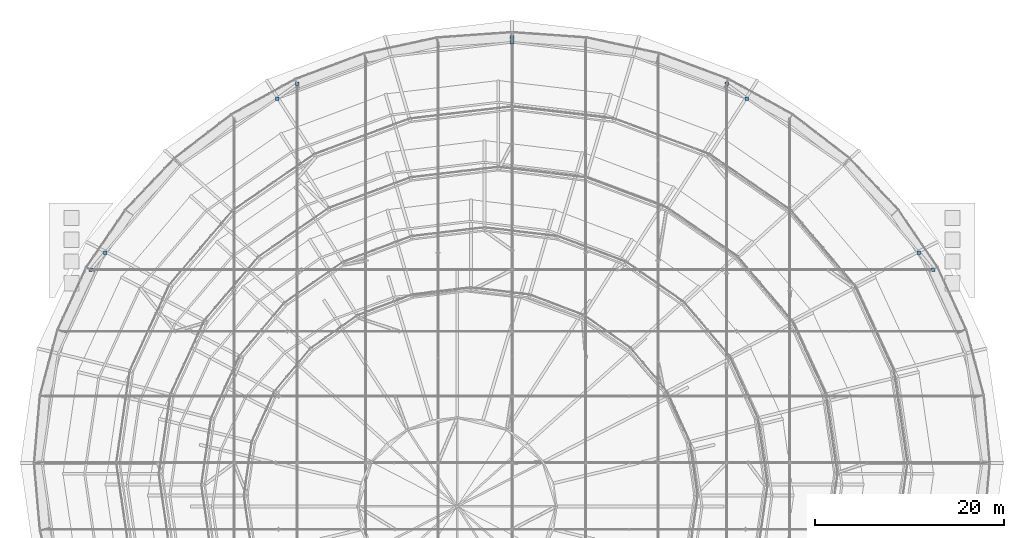
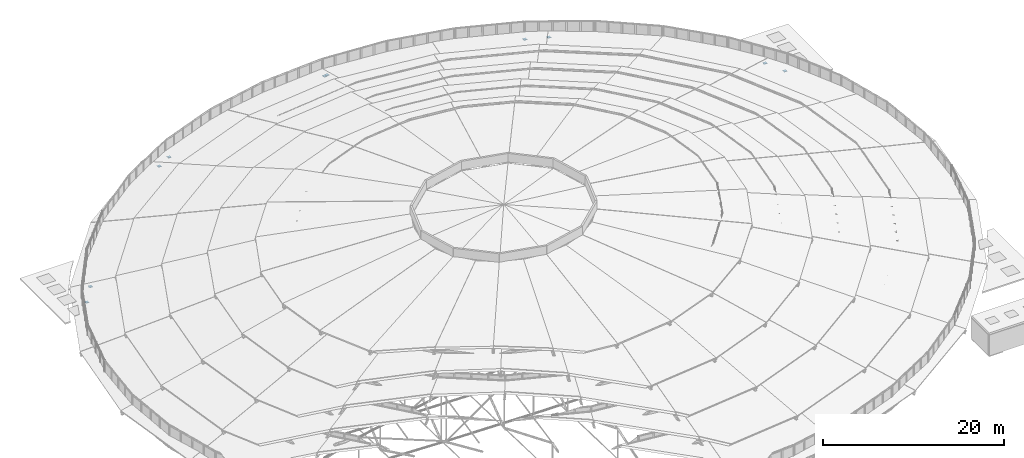
# One storey, part 171 of 173: 10 discrete accessories.
"""IFC4 building model written with IfcOpenShell, lengths in metres."""

from ifc_helpers import new_model, si_unit, direction, frame, origin, origin_2d, place, context, subcontext, project, spatial, rectangle, extrude, material, type_object, element, save


model = new_model("IFC4")

# Units and contexts
model_context = context("Model", 3, precision=1e-05, world=origin(), true_north=direction((0.0, 1.0)))
body_context = subcontext(model_context, "Body", "Model", "MODEL_VIEW")
ifc_project = project(units=[si_unit("LENGTHUNIT", "METRE"), si_unit("AREAUNIT", "SQUARE_METRE"), si_unit("VOLUMEUNIT", "CUBIC_METRE"), si_unit("PLANEANGLEUNIT", "RADIAN"), si_unit("MASSUNIT", "GRAM", prefix="KILO")], contexts=[model_context])

# Site, building, storey
site_placement = place(None, origin())
site = spatial("IfcSite", under=ifc_project, at=site_placement, CompositionType="ELEMENT")
building_placement = place(site_placement, origin())
building = spatial("IfcBuilding", under=site, at=building_placement, Name="Glasvene Arena", CompositionType="ELEMENT")
storey_placement = place(building_placement, frame((0.0, 0.0, 28.800048828125)))
storey = spatial("IfcBuildingStorey", under=building, at=storey_placement, Name="RF", CompositionType="ELEMENT", Elevation=28.800048828125)

# Discrete accessories
ifc_material = material(Name="Steel S355J2", Category="steel")
discrete_accessory_type = type_object("IfcDiscreteAccessoryType", Name="ACC-BRACE-GP20", PredefinedType="BRACKET", material=ifc_material)
for number, where, z_axis, x_axis, name in (
    (1, (136.55029296875, 93.4296875, -0.31396484375), (0.0, 0.0, 1.0), (1.0, 0.0, 0.0), "Petal post base connection plate 1-03"),
    (2, (135.04150390625, 95.25, 0.1533203125), (0.0, 0.0, 1.0), (1.0, 0.0, 0.0), "Petal post cap connection plate 1-03"),
    (3, (114.699462890625, 113.09521484375, -0.31396484375), (0.0, 0.0, 1.0), (1.0, 0.0, 0.0), "Petal post base connection plate 1-05"),
    (4, (116.85009765625, 111.5380859375, 0.1533203125), (0.0, 0.0, 1.0), (1.0, 0.0, 0.0), "Petal post cap connection plate 1-05"),
    (5, (92.0, 118.0, -0.31396484375), (0.0, 0.0, 1.0), (1.0, 0.0, 0.0), "Petal post base connection plate 1-07"),
    (6, (92.0, 117.5, 0.1533203125), (0.0, 0.0, 1.0), (1.0, 0.0, 0.0), "Petal post cap connection plate 1-07"),
    (7, (69.300537109375, 113.09521484375, -0.31396484375), (0.0, 0.0, 1.0), (1.0, 0.0, 0.0), "Petal post base connection plate 1-09"),
    (8, (67.14990234375, 111.5380859375, 0.1533203125), (0.0, 0.0, 1.0), (1.0, 0.0, 0.0), "Petal post cap connection plate 1-09"),
    (9, (47.44970703125, 93.4296875, -0.31396484375), (0.0, 0.0, 1.0), (1.0, 0.0, 0.0), "Petal post base connection plate 1-11"),
    (10, (48.95849609375, 95.25, 0.1533203125), (0.0, 0.0, 1.0), (1.0, 0.0, 0.0), "Petal post cap connection plate 1-11"),
):
    element("IfcDiscreteAccessory", number, at=place(storey_placement, frame(where, z_axis=z_axis, x_axis=x_axis)), inside=storey, type_object=discrete_accessory_type, Name=name, PredefinedType="BRACKET", context=body_context, shape_type="SweptSolid", body=[
        extrude(rectangle(XDim=0.3798828125, YDim=0.3798828125, at=origin_2d()), origin(), (0.0, 0.0, 1.0), 0.028076171875),
    ])

save(model, "model.ifc")
